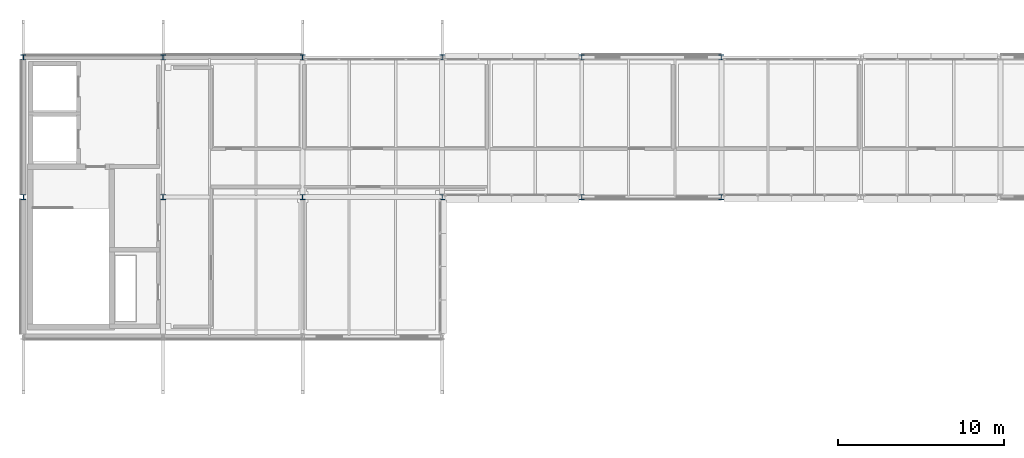
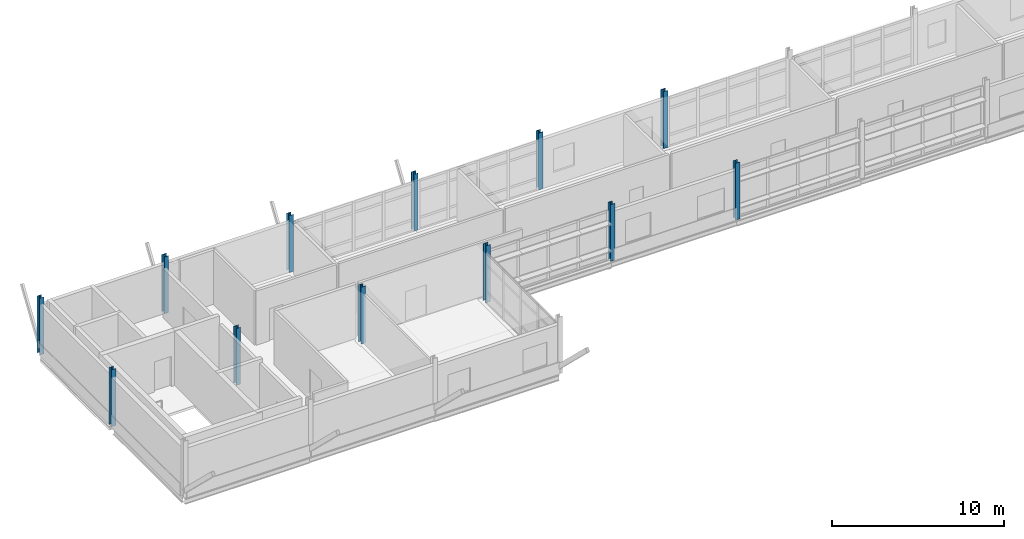
# One storey, part 4 of 57: 12 columns.
"""IFC4 building model written with IfcOpenShell, lengths in metres."""

from ifc_helpers import new_model, si_unit, direction, frame, origin, origin_2d, place, context, subcontext, project, spatial, i_section, extrude, material, material_profile, profile_set, type_object, element, save


model = new_model("IFC4")

# Units and contexts
model_context = context("Model", 3, precision=1e-05, world=origin(), true_north=direction((0.0, 1.0)))
body_context = subcontext(model_context, "Body", "Model", "MODEL_VIEW")
ifc_project = project(units=[si_unit("LENGTHUNIT", "METRE"), si_unit("AREAUNIT", "SQUARE_METRE"), si_unit("VOLUMEUNIT", "CUBIC_METRE"), si_unit("PLANEANGLEUNIT", "RADIAN"), si_unit("MASSUNIT", "GRAM", prefix="KILO")], contexts=[model_context])

# Site, building, storey
site_placement = place(None, origin())
site = spatial("IfcSite", under=ifc_project, at=site_placement, CompositionType="ELEMENT")
building_placement = place(site_placement, origin())
building = spatial("IfcBuilding", under=site, at=building_placement, Name="Mersafa Astral City Hall", CompositionType="ELEMENT")
storey_placement = place(building_placement, frame((0.0, 0.0, 26.10009765625)))
storey = spatial("IfcBuildingStorey", under=building, at=storey_placement, Name="L06", CompositionType="ELEMENT", Elevation=26.10009765625)

# Columns
ifc_material = material(Name="Steel S355", Category="steel")
ifc_material_profile = material_profile(ifc_material, i_section(OverallWidth=0.300048828125, OverallDepth=0.300048828125, WebThickness=0.010986328125, FlangeThickness=0.01904296875, FilletRadius=0.027099609375, at=origin_2d()), Name="HEB 300")
ifc_profile_set = profile_set([ifc_material_profile], Name="Steel S355")
column_type = type_object("IfcColumnType", Name="STR-COL-HEB300", PredefinedType="COLUMN", material=ifc_profile_set)
for number, where, z_axis, x_axis, name in (
    (1, (42.0, 117.60009765625, 0.0), (0.0, 0.0, 1.0), (1.0, 0.0, 0.0), "L06 Structural column G-05-14"),
    (2, (42.0, 126.0, 0.0), (0.0, 0.0, 1.0), (1.0, 0.0, 0.0), "L06 Structural column G-05-15"),
    (3, (50.39990234375, 117.60009765625, 0.0), (0.0, 0.0, 1.0), (1.0, 0.0, 0.0), "L06 Structural column G-06-14"),
    (4, (50.39990234375, 126.0, 0.0), (0.0, 0.0, 1.0), (1.0, 0.0, 0.0), "L06 Structural column G-06-15"),
    (5, (58.800048828125, 117.60009765625, 0.0), (0.0, 0.0, 1.0), (1.0, 0.0, 0.0), "L06 Structural column G-07-14"),
    (6, (58.800048828125, 126.0, 0.0), (0.0, 0.0, 1.0), (1.0, 0.0, 0.0), "L06 Structural column G-07-15"),
    (7, (67.199951171875, 117.60009765625, 0.0), (0.0, 0.0, 1.0), (1.0, 0.0, 0.0), "L06 Structural column G-08-14"),
    (8, (67.199951171875, 126.0, 0.0), (0.0, 0.0, 1.0), (1.0, 0.0, 0.0), "L06 Structural column G-08-15"),
    (9, (75.60009765625, 117.60009765625, 0.0), (0.0, 0.0, 1.0), (1.0, 0.0, 0.0), "L06 Structural column G-09-14"),
    (10, (75.60009765625, 126.0, 0.0), (0.0, 0.0, 1.0), (1.0, 0.0, 0.0), "L06 Structural column G-09-15"),
    (11, (84.0, 117.60009765625, 0.0), (0.0, 0.0, 1.0), (1.0, 0.0, 0.0), "L06 Structural column G-10-14"),
    (12, (84.0, 126.0, 0.0), (0.0, 0.0, 1.0), (1.0, 0.0, 0.0), "L06 Structural column G-10-15"),
):
    element("IfcColumn", number, at=place(storey_placement, frame(where, z_axis=z_axis, x_axis=x_axis)), inside=storey, type_object=column_type, Name=name, PredefinedType="COLUMN", context=body_context, shape_type="SweptSolid", body=[
        extrude(i_section(OverallWidth=0.300048828125, OverallDepth=0.300048828125, WebThickness=0.010986328125, FlangeThickness=0.01904296875, FilletRadius=0.027099609375, at=origin_2d()), origin(), (0.0, 0.0, 1.0), 4.0498046875),
    ])

save(model, "model.ifc")
